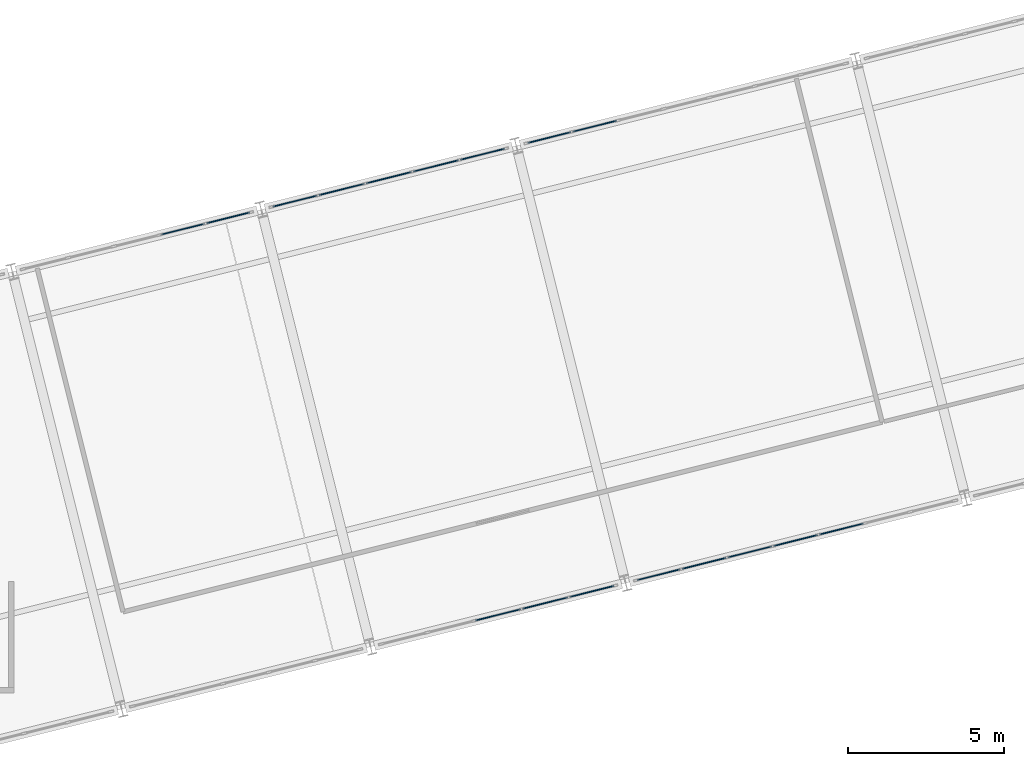
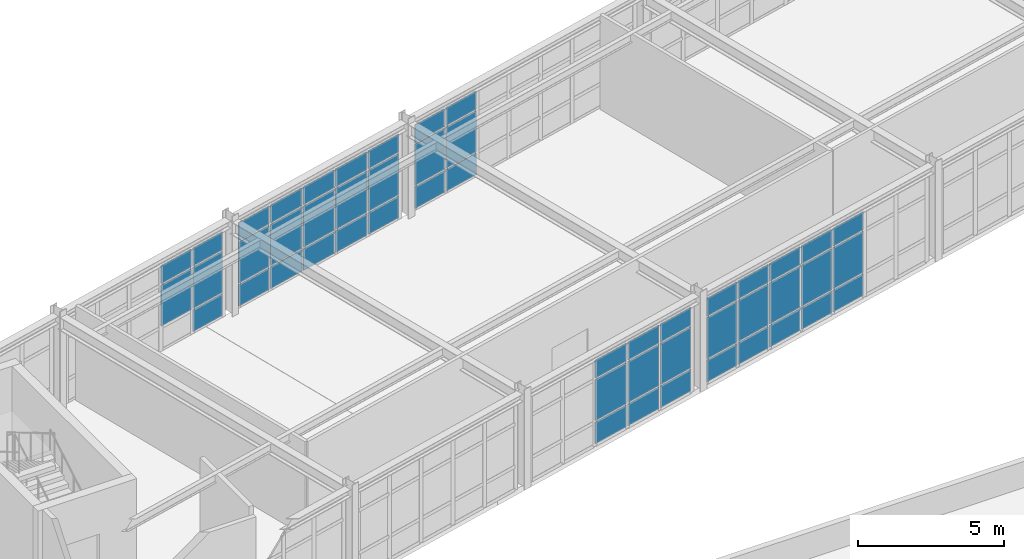
# One storey, part 61 of 99: 50 plates, 5 elements without a shape of their own.
"""IFC4 building model written with IfcOpenShell, lengths in metres."""

from ifc_helpers import new_model, si_unit, direction, frame, origin, origin_2d, place, context, subcontext, project, spatial, rectangle, extrude, material, layer, layer_set, type_object, element, aggregate, save


model = new_model("IFC4")

# Units and contexts
model_context = context("Model", 3, precision=1e-05, world=origin(), true_north=direction((0.0, 1.0)))
body_context = subcontext(model_context, "Body", "Model", "MODEL_VIEW")
ifc_project = project(units=[si_unit("LENGTHUNIT", "METRE"), si_unit("AREAUNIT", "SQUARE_METRE"), si_unit("VOLUMEUNIT", "CUBIC_METRE"), si_unit("PLANEANGLEUNIT", "RADIAN"), si_unit("MASSUNIT", "GRAM", prefix="KILO")], contexts=[model_context])

# Site, building, storey
site_placement = place(None, origin())
site = spatial("IfcSite", under=ifc_project, at=site_placement, CompositionType="ELEMENT")
building_placement = place(site_placement, origin())
building = spatial("IfcBuilding", under=site, at=building_placement, Name="Nordkorset Police Headquarters", CompositionType="ELEMENT")
storey_placement = place(building_placement, frame((0.0, 0.0, 5.25)))
storey = spatial("IfcBuildingStorey", under=building, at=storey_placement, Name="L01", CompositionType="ELEMENT", Elevation=5.25)

# Curtain wall, plates
ifc_material_1 = material(Name="Aluminium alloy AW-6060", Category="aluminium")
ifc_layer_1 = layer(ifc_material_1, 0.179931640625, Name="Aluminium alloy AW-6060")
ifc_layer_set_1 = layer_set([ifc_layer_1], Name="Aluminium alloy AW-6060")
curtain_wall_type_1 = type_object("IfcCurtainWallType", Name="CW_Unit_756x363", PredefinedType="USERDEFINED", material=ifc_layer_set_1)
curtain_wall_1_placement = place(storey_placement, origin())
curtain_wall_1 = element("IfcCurtainWall", 1, at=curtain_wall_1_placement, inside=storey, type_object=curtain_wall_type_1, Name="Unitised Curtain Wall L01 V4N-1", ObjectType="UNITISED CURTAIN WALL", PredefinedType="USERDEFINED")
ifc_material_2 = material(Name="Low-iron triple glazing", Category="glass")
ifc_layer_2 = layer(ifc_material_2, 0.035888671875, Name="Low-iron triple glazing")
ifc_layer_set_2 = layer_set([ifc_layer_2], Name="Low-iron triple glazing")
plate_type = type_object("IfcPlateType", Name="CW_Panel_TripleGlazing_36", PredefinedType="CURTAIN_PANEL", material=ifc_layer_set_2)
plate_1_placement = place(storey_placement, frame((37.3876953125, 60.2900390625, 1.0322265625), z_axis=(0.0, 0.0, 1.0), x_axis=(0.970142500145, 0.242535625038, 0.0)))
plate_1 = element("IfcPlate", 2, at=plate_1_placement, type_object=plate_type, Name="CW-24 panel 4.2", PredefinedType="CURTAIN_PANEL", context=body_context, shape_type="SweptSolid", body=[
    extrude(rectangle(XDim=1.447021484375, YDim=0.035888671875, at=origin_2d()), origin(), (0.0, 0.0, 1.0), 1.715087890625),
])
plate_2_placement = place(storey_placement, frame((37.3876953125, 60.2900390625, 2.8125), z_axis=(0.0, 0.0, 1.0), x_axis=(0.970142500145, 0.242535625038, 0.0)))
plate_2 = element("IfcPlate", 3, at=plate_2_placement, type_object=plate_type, Name="CW-24 panel 4.3", PredefinedType="CURTAIN_PANEL", context=body_context, shape_type="SweptSolid", body=[
    extrude(rectangle(XDim=1.447021484375, YDim=0.035888671875, at=origin_2d()), origin(), (0.0, 0.0, 1.0), 0.75244140625),
])
plate_3_placement = place(storey_placement, frame((38.8388671875, 60.65283203125, 0.06494140625), z_axis=(0.0, 0.0, 1.0), x_axis=(0.970142500145, 0.242535625038, 0.0)))
plate_3 = element("IfcPlate", 4, at=plate_3_placement, type_object=plate_type, Name="CW-24 panel 5.1", PredefinedType="CURTAIN_PANEL", context=body_context, shape_type="SweptSolid", body=[
    extrude(rectangle(XDim=1.41455078125, YDim=0.035888671875, at=origin_2d()), origin(), (0.0, 0.0, 1.0), 0.902587890625),
])
plate_4_placement = place(storey_placement, frame((38.8388671875, 60.65283203125, 1.0322265625), z_axis=(0.0, 0.0, 1.0), x_axis=(0.970142500145, 0.242535625038, 0.0)))
plate_4 = element("IfcPlate", 5, at=plate_4_placement, type_object=plate_type, Name="CW-24 panel 5.2", PredefinedType="CURTAIN_PANEL", context=body_context, shape_type="SweptSolid", body=[
    extrude(rectangle(XDim=1.41455078125, YDim=0.035888671875, at=origin_2d()), origin(), (0.0, 0.0, 1.0), 1.715087890625),
])
plate_5_placement = place(storey_placement, frame((38.8388671875, 60.65283203125, 2.8125), z_axis=(0.0, 0.0, 1.0), x_axis=(0.970142500145, 0.242535625038, 0.0)))
plate_5 = element("IfcPlate", 6, at=plate_5_placement, type_object=plate_type, Name="CW-24 panel 5.3", PredefinedType="CURTAIN_PANEL", context=body_context, shape_type="SweptSolid", body=[
    extrude(rectangle(XDim=1.41455078125, YDim=0.035888671875, at=origin_2d()), origin(), (0.0, 0.0, 1.0), 0.75244140625),
])
aggregate(curtain_wall_1, [plate_1, plate_2, plate_3, plate_4, plate_5])

ifc_material_3 = material(Name="Aluminium alloy AW-6060", Category="aluminium")
ifc_layer_3 = layer(ifc_material_3, 0.179931640625, Name="Aluminium alloy AW-6060")
ifc_layer_set_3 = layer_set([ifc_layer_3], Name="Aluminium alloy AW-6060")
curtain_wall_type_2 = type_object("IfcCurtainWallType", Name="CW_Unit_776x363", PredefinedType="USERDEFINED", material=ifc_layer_set_3)
curtain_wall_2_placement = place(storey_placement, origin())
curtain_wall_2 = element("IfcCurtainWall", 7, at=curtain_wall_2_placement, inside=storey, type_object=curtain_wall_type_2, Name="Unitised Curtain Wall L01 V4S-2", ObjectType="UNITISED CURTAIN WALL", PredefinedType="USERDEFINED")
plate_6_placement = place(storey_placement, frame((47.465576171875, 47.96630859375, 0.06494140625), z_axis=(0.0, 0.0, 1.0), x_axis=(0.970142727556, 0.24253471539, 0.0)))
plate_6 = element("IfcPlate", 8, at=plate_6_placement, type_object=plate_type, Name="CW-47 panel 3.1", PredefinedType="CURTAIN_PANEL", context=body_context, shape_type="SweptSolid", body=[
    extrude(rectangle(XDim=1.487060546875, YDim=0.035888671875, at=origin_2d()), origin(), (0.0, 0.0, 1.0), 0.902587890625),
])
plate_7_placement = place(storey_placement, frame((47.465576171875, 47.96630859375, 1.0322265625), z_axis=(0.0, 0.0, 1.0), x_axis=(0.970142727556, 0.24253471539, 0.0)))
plate_7 = element("IfcPlate", 9, at=plate_7_placement, type_object=plate_type, Name="CW-47 panel 3.2", PredefinedType="CURTAIN_PANEL", context=body_context, shape_type="SweptSolid", body=[
    extrude(rectangle(XDim=1.487060546875, YDim=0.035888671875, at=origin_2d()), origin(), (0.0, 0.0, 1.0), 1.715087890625),
])
plate_8_placement = place(storey_placement, frame((47.465576171875, 47.96630859375, 2.8125), z_axis=(0.0, 0.0, 1.0), x_axis=(0.970142727556, 0.24253471539, 0.0)))
plate_8 = element("IfcPlate", 10, at=plate_8_placement, type_object=plate_type, Name="CW-47 panel 3.3", PredefinedType="CURTAIN_PANEL", context=body_context, shape_type="SweptSolid", body=[
    extrude(rectangle(XDim=1.487060546875, YDim=0.035888671875, at=origin_2d()), origin(), (0.0, 0.0, 1.0), 0.75244140625),
])
plate_9_placement = place(storey_placement, frame((48.97119140625, 48.3427734375, 0.06494140625), z_axis=(0.0, 0.0, 1.0), x_axis=(0.970142727556, 0.24253471539, 0.0)))
plate_9 = element("IfcPlate", 11, at=plate_9_placement, type_object=plate_type, Name="CW-47 panel 4.1", PredefinedType="CURTAIN_PANEL", context=body_context, shape_type="SweptSolid", body=[
    extrude(rectangle(XDim=1.487060546875, YDim=0.035888671875, at=origin_2d()), origin(), (0.0, 0.0, 1.0), 0.902587890625),
])
plate_10_placement = place(storey_placement, frame((48.97119140625, 48.3427734375, 1.0322265625), z_axis=(0.0, 0.0, 1.0), x_axis=(0.970142727556, 0.24253471539, 0.0)))
plate_10 = element("IfcPlate", 12, at=plate_10_placement, type_object=plate_type, Name="CW-47 panel 4.2", PredefinedType="CURTAIN_PANEL", context=body_context, shape_type="SweptSolid", body=[
    extrude(rectangle(XDim=1.487060546875, YDim=0.035888671875, at=origin_2d()), origin(), (0.0, 0.0, 1.0), 1.715087890625),
])
plate_11_placement = place(storey_placement, frame((48.97119140625, 48.3427734375, 2.8125), z_axis=(0.0, 0.0, 1.0), x_axis=(0.970142727556, 0.24253471539, 0.0)))
plate_11 = element("IfcPlate", 13, at=plate_11_placement, type_object=plate_type, Name="CW-47 panel 4.3", PredefinedType="CURTAIN_PANEL", context=body_context, shape_type="SweptSolid", body=[
    extrude(rectangle(XDim=1.487060546875, YDim=0.035888671875, at=origin_2d()), origin(), (0.0, 0.0, 1.0), 0.75244140625),
])
plate_12_placement = place(storey_placement, frame((50.461181640625, 48.71533203125, 0.06494140625), z_axis=(0.0, 0.0, 1.0), x_axis=(0.970142727556, 0.24253471539, 0.0)))
plate_12 = element("IfcPlate", 14, at=plate_12_placement, type_object=plate_type, Name="CW-47 panel 5.1", PredefinedType="CURTAIN_PANEL", context=body_context, shape_type="SweptSolid", body=[
    extrude(rectangle(XDim=1.45458984375, YDim=0.035888671875, at=origin_2d()), origin(), (0.0, 0.0, 1.0), 0.902587890625),
])
plate_13_placement = place(storey_placement, frame((50.461181640625, 48.71533203125, 1.0322265625), z_axis=(0.0, 0.0, 1.0), x_axis=(0.970142727556, 0.24253471539, 0.0)))
plate_13 = element("IfcPlate", 15, at=plate_13_placement, type_object=plate_type, Name="CW-47 panel 5.2", PredefinedType="CURTAIN_PANEL", context=body_context, shape_type="SweptSolid", body=[
    extrude(rectangle(XDim=1.45458984375, YDim=0.035888671875, at=origin_2d()), origin(), (0.0, 0.0, 1.0), 1.715087890625),
])
plate_14_placement = place(storey_placement, frame((50.461181640625, 48.71533203125, 2.8125), z_axis=(0.0, 0.0, 1.0), x_axis=(0.970142727556, 0.24253471539, 0.0)))
plate_14 = element("IfcPlate", 16, at=plate_14_placement, type_object=plate_type, Name="CW-47 panel 5.3", PredefinedType="CURTAIN_PANEL", context=body_context, shape_type="SweptSolid", body=[
    extrude(rectangle(XDim=1.45458984375, YDim=0.035888671875, at=origin_2d()), origin(), (0.0, 0.0, 1.0), 0.75244140625),
])
aggregate(curtain_wall_2, [plate_6, plate_7, plate_8, plate_9, plate_10, plate_11, plate_12, plate_13, plate_14])

curtain_wall_3_placement = place(storey_placement, origin())
curtain_wall_3 = element("IfcCurtainWall", 17, at=curtain_wall_3_placement, inside=storey, type_object=curtain_wall_type_2, Name="Unitised Curtain Wall L01 V4N-2", ObjectType="UNITISED CURTAIN WALL", PredefinedType="USERDEFINED")
plate_15_placement = place(storey_placement, frame((40.9775390625, 61.1875, 0.06494140625), z_axis=(0.0, 0.0, 1.0), x_axis=(0.970142424344, 0.242535928242, 0.0)))
plate_15 = element("IfcPlate", 18, at=plate_15_placement, type_object=plate_type, Name="CW-47 panel 1.1", PredefinedType="CURTAIN_PANEL", context=body_context, shape_type="SweptSolid", body=[
    extrude(rectangle(XDim=1.45458984375, YDim=0.035888671875, at=origin_2d()), origin(), (0.0, 0.0, 1.0), 0.902587890625),
])
plate_16_placement = place(storey_placement, frame((40.9775390625, 61.1875, 1.0322265625), z_axis=(0.0, 0.0, 1.0), x_axis=(0.970142424344, 0.242535928242, 0.0)))
plate_16 = element("IfcPlate", 19, at=plate_16_placement, type_object=plate_type, Name="CW-47 panel 1.2", PredefinedType="CURTAIN_PANEL", context=body_context, shape_type="SweptSolid", body=[
    extrude(rectangle(XDim=1.45458984375, YDim=0.035888671875, at=origin_2d()), origin(), (0.0, 0.0, 1.0), 1.715087890625),
])
plate_17_placement = place(storey_placement, frame((40.9775390625, 61.1875, 2.8125), z_axis=(0.0, 0.0, 1.0), x_axis=(0.970142424344, 0.242535928242, 0.0)))
plate_17 = element("IfcPlate", 20, at=plate_17_placement, type_object=plate_type, Name="CW-47 panel 1.3", PredefinedType="CURTAIN_PANEL", context=body_context, shape_type="SweptSolid", body=[
    extrude(rectangle(XDim=1.45458984375, YDim=0.035888671875, at=origin_2d()), origin(), (0.0, 0.0, 1.0), 0.75244140625),
])
plate_18_placement = place(storey_placement, frame((42.46728515625, 61.56005859375, 0.06494140625), z_axis=(0.0, 0.0, 1.0), x_axis=(0.970142424344, 0.242535928242, 0.0)))
plate_18 = element("IfcPlate", 21, at=plate_18_placement, type_object=plate_type, Name="CW-47 panel 2.1", PredefinedType="CURTAIN_PANEL", context=body_context, shape_type="SweptSolid", body=[
    extrude(rectangle(XDim=1.487060546875, YDim=0.035888671875, at=origin_2d()), origin(), (0.0, 0.0, 1.0), 0.902587890625),
])
plate_19_placement = place(storey_placement, frame((42.46728515625, 61.56005859375, 1.0322265625), z_axis=(0.0, 0.0, 1.0), x_axis=(0.970142424344, 0.242535928242, 0.0)))
plate_19 = element("IfcPlate", 22, at=plate_19_placement, type_object=plate_type, Name="CW-47 panel 2.2", PredefinedType="CURTAIN_PANEL", context=body_context, shape_type="SweptSolid", body=[
    extrude(rectangle(XDim=1.487060546875, YDim=0.035888671875, at=origin_2d()), origin(), (0.0, 0.0, 1.0), 1.715087890625),
])
plate_20_placement = place(storey_placement, frame((42.46728515625, 61.56005859375, 2.8125), z_axis=(0.0, 0.0, 1.0), x_axis=(0.970142424344, 0.242535928242, 0.0)))
plate_20 = element("IfcPlate", 23, at=plate_20_placement, type_object=plate_type, Name="CW-47 panel 2.3", PredefinedType="CURTAIN_PANEL", context=body_context, shape_type="SweptSolid", body=[
    extrude(rectangle(XDim=1.487060546875, YDim=0.035888671875, at=origin_2d()), origin(), (0.0, 0.0, 1.0), 0.75244140625),
])
plate_21_placement = place(storey_placement, frame((43.972900390625, 61.9365234375, 0.06494140625), z_axis=(0.0, 0.0, 1.0), x_axis=(0.970142424344, 0.242535928242, 0.0)))
plate_21 = element("IfcPlate", 24, at=plate_21_placement, type_object=plate_type, Name="CW-47 panel 3.1", PredefinedType="CURTAIN_PANEL", context=body_context, shape_type="SweptSolid", body=[
    extrude(rectangle(XDim=1.487060546875, YDim=0.035888671875, at=origin_2d()), origin(), (0.0, 0.0, 1.0), 0.902587890625),
])
plate_22_placement = place(storey_placement, frame((43.972900390625, 61.9365234375, 1.0322265625), z_axis=(0.0, 0.0, 1.0), x_axis=(0.970142424344, 0.242535928242, 0.0)))
plate_22 = element("IfcPlate", 25, at=plate_22_placement, type_object=plate_type, Name="CW-47 panel 3.2", PredefinedType="CURTAIN_PANEL", context=body_context, shape_type="SweptSolid", body=[
    extrude(rectangle(XDim=1.487060546875, YDim=0.035888671875, at=origin_2d()), origin(), (0.0, 0.0, 1.0), 1.715087890625),
])
plate_23_placement = place(storey_placement, frame((43.972900390625, 61.9365234375, 2.8125), z_axis=(0.0, 0.0, 1.0), x_axis=(0.970142424344, 0.242535928242, 0.0)))
plate_23 = element("IfcPlate", 26, at=plate_23_placement, type_object=plate_type, Name="CW-47 panel 3.3", PredefinedType="CURTAIN_PANEL", context=body_context, shape_type="SweptSolid", body=[
    extrude(rectangle(XDim=1.487060546875, YDim=0.035888671875, at=origin_2d()), origin(), (0.0, 0.0, 1.0), 0.75244140625),
])
plate_24_placement = place(storey_placement, frame((45.478759765625, 62.312744140625, 0.06494140625), z_axis=(0.0, 0.0, 1.0), x_axis=(0.970142424344, 0.242535928242, 0.0)))
plate_24 = element("IfcPlate", 27, at=plate_24_placement, type_object=plate_type, Name="CW-47 panel 4.1", PredefinedType="CURTAIN_PANEL", context=body_context, shape_type="SweptSolid", body=[
    extrude(rectangle(XDim=1.487060546875, YDim=0.035888671875, at=origin_2d()), origin(), (0.0, 0.0, 1.0), 0.902587890625),
])
plate_25_placement = place(storey_placement, frame((45.478759765625, 62.312744140625, 1.0322265625), z_axis=(0.0, 0.0, 1.0), x_axis=(0.970142424344, 0.242535928242, 0.0)))
plate_25 = element("IfcPlate", 28, at=plate_25_placement, type_object=plate_type, Name="CW-47 panel 4.2", PredefinedType="CURTAIN_PANEL", context=body_context, shape_type="SweptSolid", body=[
    extrude(rectangle(XDim=1.487060546875, YDim=0.035888671875, at=origin_2d()), origin(), (0.0, 0.0, 1.0), 1.715087890625),
])
plate_26_placement = place(storey_placement, frame((45.478759765625, 62.312744140625, 2.8125), z_axis=(0.0, 0.0, 1.0), x_axis=(0.970142424344, 0.242535928242, 0.0)))
plate_26 = element("IfcPlate", 29, at=plate_26_placement, type_object=plate_type, Name="CW-47 panel 4.3", PredefinedType="CURTAIN_PANEL", context=body_context, shape_type="SweptSolid", body=[
    extrude(rectangle(XDim=1.487060546875, YDim=0.035888671875, at=origin_2d()), origin(), (0.0, 0.0, 1.0), 0.75244140625),
])
plate_27_placement = place(storey_placement, frame((46.968505859375, 62.685302734375, 0.06494140625), z_axis=(0.0, 0.0, 1.0), x_axis=(0.970142424344, 0.242535928242, 0.0)))
plate_27 = element("IfcPlate", 30, at=plate_27_placement, type_object=plate_type, Name="CW-47 panel 5.1", PredefinedType="CURTAIN_PANEL", context=body_context, shape_type="SweptSolid", body=[
    extrude(rectangle(XDim=1.45458984375, YDim=0.035888671875, at=origin_2d()), origin(), (0.0, 0.0, 1.0), 0.902587890625),
])
plate_28_placement = place(storey_placement, frame((46.968505859375, 62.685302734375, 1.0322265625), z_axis=(0.0, 0.0, 1.0), x_axis=(0.970142424344, 0.242535928242, 0.0)))
plate_28 = element("IfcPlate", 31, at=plate_28_placement, type_object=plate_type, Name="CW-47 panel 5.2", PredefinedType="CURTAIN_PANEL", context=body_context, shape_type="SweptSolid", body=[
    extrude(rectangle(XDim=1.45458984375, YDim=0.035888671875, at=origin_2d()), origin(), (0.0, 0.0, 1.0), 1.715087890625),
])
plate_29_placement = place(storey_placement, frame((46.968505859375, 62.685302734375, 2.8125), z_axis=(0.0, 0.0, 1.0), x_axis=(0.970142424344, 0.242535928242, 0.0)))
plate_29 = element("IfcPlate", 32, at=plate_29_placement, type_object=plate_type, Name="CW-47 panel 5.3", PredefinedType="CURTAIN_PANEL", context=body_context, shape_type="SweptSolid", body=[
    extrude(rectangle(XDim=1.45458984375, YDim=0.035888671875, at=origin_2d()), origin(), (0.0, 0.0, 1.0), 0.75244140625),
])
aggregate(curtain_wall_3, [plate_15, plate_16, plate_17, plate_18, plate_19, plate_20, plate_21, plate_22, plate_23, plate_24, plate_25, plate_26, plate_27, plate_28, plate_29])

ifc_material_4 = material(Name="Aluminium alloy AW-6060", Category="aluminium")
ifc_layer_4 = layer(ifc_material_4, 0.179931640625, Name="Aluminium alloy AW-6060")
ifc_layer_set_4 = layer_set([ifc_layer_4], Name="Aluminium alloy AW-6060")
curtain_wall_type_3 = type_object("IfcCurtainWallType", Name="CW_Unit_1056x363", PredefinedType="USERDEFINED", material=ifc_layer_set_4)
curtain_wall_4_placement = place(storey_placement, origin())
curtain_wall_4 = element("IfcCurtainWall", 33, at=curtain_wall_4_placement, inside=storey, type_object=curtain_wall_type_3, Name="Unitised Curtain Wall L01 V4S-3", ObjectType="UNITISED CURTAIN WALL", PredefinedType="USERDEFINED")
plate_30_placement = place(storey_placement, frame((52.59814453125, 49.24951171875, 0.06494140625), z_axis=(0.0, 0.0, 1.0), x_axis=(0.970142611554, 0.242535179399, 0.0)))
plate_30 = element("IfcPlate", 34, at=plate_30_placement, type_object=plate_type, Name="CW-96 panel 1.1", PredefinedType="CURTAIN_PANEL", context=body_context, shape_type="SweptSolid", body=[
    extrude(rectangle(XDim=1.4111328125, YDim=0.035888671875, at=origin_2d()), origin(), (0.0, 0.0, 1.0), 0.902587890625),
])
plate_31_placement = place(storey_placement, frame((52.59814453125, 49.24951171875, 1.0322265625), z_axis=(0.0, 0.0, 1.0), x_axis=(0.970142611554, 0.242535179399, 0.0)))
plate_31 = element("IfcPlate", 35, at=plate_31_placement, type_object=plate_type, Name="CW-96 panel 1.2", PredefinedType="CURTAIN_PANEL", context=body_context, shape_type="SweptSolid", body=[
    extrude(rectangle(XDim=1.4111328125, YDim=0.035888671875, at=origin_2d()), origin(), (0.0, 0.0, 1.0), 1.715087890625),
])
plate_32_placement = place(storey_placement, frame((52.59814453125, 49.24951171875, 2.8125), z_axis=(0.0, 0.0, 1.0), x_axis=(0.970142611554, 0.242535179399, 0.0)))
plate_32 = element("IfcPlate", 36, at=plate_32_placement, type_object=plate_type, Name="CW-96 panel 1.3", PredefinedType="CURTAIN_PANEL", context=body_context, shape_type="SweptSolid", body=[
    extrude(rectangle(XDim=1.4111328125, YDim=0.035888671875, at=origin_2d()), origin(), (0.0, 0.0, 1.0), 0.75244140625),
])
plate_33_placement = place(storey_placement, frame((54.0458984375, 49.611572265625, 0.06494140625), z_axis=(0.0, 0.0, 1.0), x_axis=(0.970142611554, 0.242535179399, 0.0)))
plate_33 = element("IfcPlate", 37, at=plate_33_placement, type_object=plate_type, Name="CW-96 panel 2.1", PredefinedType="CURTAIN_PANEL", context=body_context, shape_type="SweptSolid", body=[
    extrude(rectangle(XDim=1.443603515625, YDim=0.035888671875, at=origin_2d()), origin(), (0.0, 0.0, 1.0), 0.902587890625),
])
plate_34_placement = place(storey_placement, frame((54.0458984375, 49.611572265625, 1.0322265625), z_axis=(0.0, 0.0, 1.0), x_axis=(0.970142611554, 0.242535179399, 0.0)))
plate_34 = element("IfcPlate", 38, at=plate_34_placement, type_object=plate_type, Name="CW-96 panel 2.2", PredefinedType="CURTAIN_PANEL", context=body_context, shape_type="SweptSolid", body=[
    extrude(rectangle(XDim=1.443603515625, YDim=0.035888671875, at=origin_2d()), origin(), (0.0, 0.0, 1.0), 1.715087890625),
])
plate_35_placement = place(storey_placement, frame((54.0458984375, 49.611572265625, 2.8125), z_axis=(0.0, 0.0, 1.0), x_axis=(0.970142611554, 0.242535179399, 0.0)))
plate_35 = element("IfcPlate", 39, at=plate_35_placement, type_object=plate_type, Name="CW-96 panel 2.3", PredefinedType="CURTAIN_PANEL", context=body_context, shape_type="SweptSolid", body=[
    extrude(rectangle(XDim=1.443603515625, YDim=0.035888671875, at=origin_2d()), origin(), (0.0, 0.0, 1.0), 0.75244140625),
])
plate_36_placement = place(storey_placement, frame((55.50927734375, 49.977294921875, 0.06494140625), z_axis=(0.0, 0.0, 1.0), x_axis=(0.970142611554, 0.242535179399, 0.0)))
plate_36 = element("IfcPlate", 40, at=plate_36_placement, type_object=plate_type, Name="CW-96 panel 3.1", PredefinedType="CURTAIN_PANEL", context=body_context, shape_type="SweptSolid", body=[
    extrude(rectangle(XDim=1.443603515625, YDim=0.035888671875, at=origin_2d()), origin(), (0.0, 0.0, 1.0), 0.902587890625),
])
plate_37_placement = place(storey_placement, frame((55.50927734375, 49.977294921875, 1.0322265625), z_axis=(0.0, 0.0, 1.0), x_axis=(0.970142611554, 0.242535179399, 0.0)))
plate_37 = element("IfcPlate", 41, at=plate_37_placement, type_object=plate_type, Name="CW-96 panel 3.2", PredefinedType="CURTAIN_PANEL", context=body_context, shape_type="SweptSolid", body=[
    extrude(rectangle(XDim=1.443603515625, YDim=0.035888671875, at=origin_2d()), origin(), (0.0, 0.0, 1.0), 1.715087890625),
])
plate_38_placement = place(storey_placement, frame((55.50927734375, 49.977294921875, 2.8125), z_axis=(0.0, 0.0, 1.0), x_axis=(0.970142611554, 0.242535179399, 0.0)))
plate_38 = element("IfcPlate", 42, at=plate_38_placement, type_object=plate_type, Name="CW-96 panel 3.3", PredefinedType="CURTAIN_PANEL", context=body_context, shape_type="SweptSolid", body=[
    extrude(rectangle(XDim=1.443603515625, YDim=0.035888671875, at=origin_2d()), origin(), (0.0, 0.0, 1.0), 0.75244140625),
])
plate_39_placement = place(storey_placement, frame((56.972900390625, 50.34326171875, 0.06494140625), z_axis=(0.0, 0.0, 1.0), x_axis=(0.970142611554, 0.242535179399, 0.0)))
plate_39 = element("IfcPlate", 43, at=plate_39_placement, type_object=plate_type, Name="CW-96 panel 4.1", PredefinedType="CURTAIN_PANEL", context=body_context, shape_type="SweptSolid", body=[
    extrude(rectangle(XDim=1.443603515625, YDim=0.035888671875, at=origin_2d()), origin(), (0.0, 0.0, 1.0), 0.902587890625),
])
plate_40_placement = place(storey_placement, frame((56.972900390625, 50.34326171875, 1.0322265625), z_axis=(0.0, 0.0, 1.0), x_axis=(0.970142611554, 0.242535179399, 0.0)))
plate_40 = element("IfcPlate", 44, at=plate_40_placement, type_object=plate_type, Name="CW-96 panel 4.2", PredefinedType="CURTAIN_PANEL", context=body_context, shape_type="SweptSolid", body=[
    extrude(rectangle(XDim=1.443603515625, YDim=0.035888671875, at=origin_2d()), origin(), (0.0, 0.0, 1.0), 1.715087890625),
])
plate_41_placement = place(storey_placement, frame((56.972900390625, 50.34326171875, 2.8125), z_axis=(0.0, 0.0, 1.0), x_axis=(0.970142611554, 0.242535179399, 0.0)))
plate_41 = element("IfcPlate", 45, at=plate_41_placement, type_object=plate_type, Name="CW-96 panel 4.3", PredefinedType="CURTAIN_PANEL", context=body_context, shape_type="SweptSolid", body=[
    extrude(rectangle(XDim=1.443603515625, YDim=0.035888671875, at=origin_2d()), origin(), (0.0, 0.0, 1.0), 0.75244140625),
])
plate_42_placement = place(storey_placement, frame((58.4365234375, 50.708984375, 0.06494140625), z_axis=(0.0, 0.0, 1.0), x_axis=(0.970142611554, 0.242535179399, 0.0)))
plate_42 = element("IfcPlate", 46, at=plate_42_placement, type_object=plate_type, Name="CW-96 panel 5.1", PredefinedType="CURTAIN_PANEL", context=body_context, shape_type="SweptSolid", body=[
    extrude(rectangle(XDim=1.443603515625, YDim=0.035888671875, at=origin_2d()), origin(), (0.0, 0.0, 1.0), 0.902587890625),
])
plate_43_placement = place(storey_placement, frame((58.4365234375, 50.708984375, 1.0322265625), z_axis=(0.0, 0.0, 1.0), x_axis=(0.970142611554, 0.242535179399, 0.0)))
plate_43 = element("IfcPlate", 47, at=plate_43_placement, type_object=plate_type, Name="CW-96 panel 5.2", PredefinedType="CURTAIN_PANEL", context=body_context, shape_type="SweptSolid", body=[
    extrude(rectangle(XDim=1.443603515625, YDim=0.035888671875, at=origin_2d()), origin(), (0.0, 0.0, 1.0), 1.715087890625),
])
plate_44_placement = place(storey_placement, frame((58.4365234375, 50.708984375, 2.8125), z_axis=(0.0, 0.0, 1.0), x_axis=(0.970142611554, 0.242535179399, 0.0)))
plate_44 = element("IfcPlate", 48, at=plate_44_placement, type_object=plate_type, Name="CW-96 panel 5.3", PredefinedType="CURTAIN_PANEL", context=body_context, shape_type="SweptSolid", body=[
    extrude(rectangle(XDim=1.443603515625, YDim=0.035888671875, at=origin_2d()), origin(), (0.0, 0.0, 1.0), 0.75244140625),
])
aggregate(curtain_wall_4, [plate_30, plate_31, plate_32, plate_33, plate_34, plate_35, plate_36, plate_37, plate_38, plate_39, plate_40, plate_41, plate_42, plate_43, plate_44])

curtain_wall_5_placement = place(storey_placement, origin())
curtain_wall_5 = element("IfcCurtainWall", 49, at=curtain_wall_5_placement, inside=storey, type_object=curtain_wall_type_3, Name="Unitised Curtain Wall L01 V4N-3", ObjectType="UNITISED CURTAIN WALL", PredefinedType="USERDEFINED")
plate_45_placement = place(storey_placement, frame((49.10546875, 63.219482421875, 0.06494140625), z_axis=(0.0, 0.0, 1.0), x_axis=(0.970142388735, 0.242536070676, 0.0)))
plate_45 = element("IfcPlate", 50, at=plate_45_placement, type_object=plate_type, Name="CW-96 panel 1.1", PredefinedType="CURTAIN_PANEL", context=body_context, shape_type="SweptSolid", body=[
    extrude(rectangle(XDim=1.4111328125, YDim=0.035888671875, at=origin_2d()), origin(), (0.0, 0.0, 1.0), 0.902587890625),
])
plate_46_placement = place(storey_placement, frame((49.10546875, 63.219482421875, 1.0322265625), z_axis=(0.0, 0.0, 1.0), x_axis=(0.970142388735, 0.242536070676, 0.0)))
plate_46 = element("IfcPlate", 51, at=plate_46_placement, type_object=plate_type, Name="CW-96 panel 1.2", PredefinedType="CURTAIN_PANEL", context=body_context, shape_type="SweptSolid", body=[
    extrude(rectangle(XDim=1.4111328125, YDim=0.035888671875, at=origin_2d()), origin(), (0.0, 0.0, 1.0), 1.715087890625),
])
plate_47_placement = place(storey_placement, frame((49.10546875, 63.219482421875, 2.8125), z_axis=(0.0, 0.0, 1.0), x_axis=(0.970142388735, 0.242536070676, 0.0)))
plate_47 = element("IfcPlate", 52, at=plate_47_placement, type_object=plate_type, Name="CW-96 panel 1.3", PredefinedType="CURTAIN_PANEL", context=body_context, shape_type="SweptSolid", body=[
    extrude(rectangle(XDim=1.4111328125, YDim=0.035888671875, at=origin_2d()), origin(), (0.0, 0.0, 1.0), 0.75244140625),
])
plate_48_placement = place(storey_placement, frame((50.55322265625, 63.58154296875, 0.06494140625), z_axis=(0.0, 0.0, 1.0), x_axis=(0.970142388735, 0.242536070676, 0.0)))
plate_48 = element("IfcPlate", 53, at=plate_48_placement, type_object=plate_type, Name="CW-96 panel 2.1", PredefinedType="CURTAIN_PANEL", context=body_context, shape_type="SweptSolid", body=[
    extrude(rectangle(XDim=1.443603515625, YDim=0.035888671875, at=origin_2d()), origin(), (0.0, 0.0, 1.0), 0.902587890625),
])
plate_49_placement = place(storey_placement, frame((50.55322265625, 63.58154296875, 1.0322265625), z_axis=(0.0, 0.0, 1.0), x_axis=(0.970142388735, 0.242536070676, 0.0)))
plate_49 = element("IfcPlate", 54, at=plate_49_placement, type_object=plate_type, Name="CW-96 panel 2.2", PredefinedType="CURTAIN_PANEL", context=body_context, shape_type="SweptSolid", body=[
    extrude(rectangle(XDim=1.443603515625, YDim=0.035888671875, at=origin_2d()), origin(), (0.0, 0.0, 1.0), 1.715087890625),
])
plate_50_placement = place(storey_placement, frame((50.55322265625, 63.58154296875, 2.8125), z_axis=(0.0, 0.0, 1.0), x_axis=(0.970142388735, 0.242536070676, 0.0)))
plate_50 = element("IfcPlate", 55, at=plate_50_placement, type_object=plate_type, Name="CW-96 panel 2.3", PredefinedType="CURTAIN_PANEL", context=body_context, shape_type="SweptSolid", body=[
    extrude(rectangle(XDim=1.443603515625, YDim=0.035888671875, at=origin_2d()), origin(), (0.0, 0.0, 1.0), 0.75244140625),
])
aggregate(curtain_wall_5, [plate_45, plate_46, plate_47, plate_48, plate_49, plate_50])

save(model, "model.ifc")
